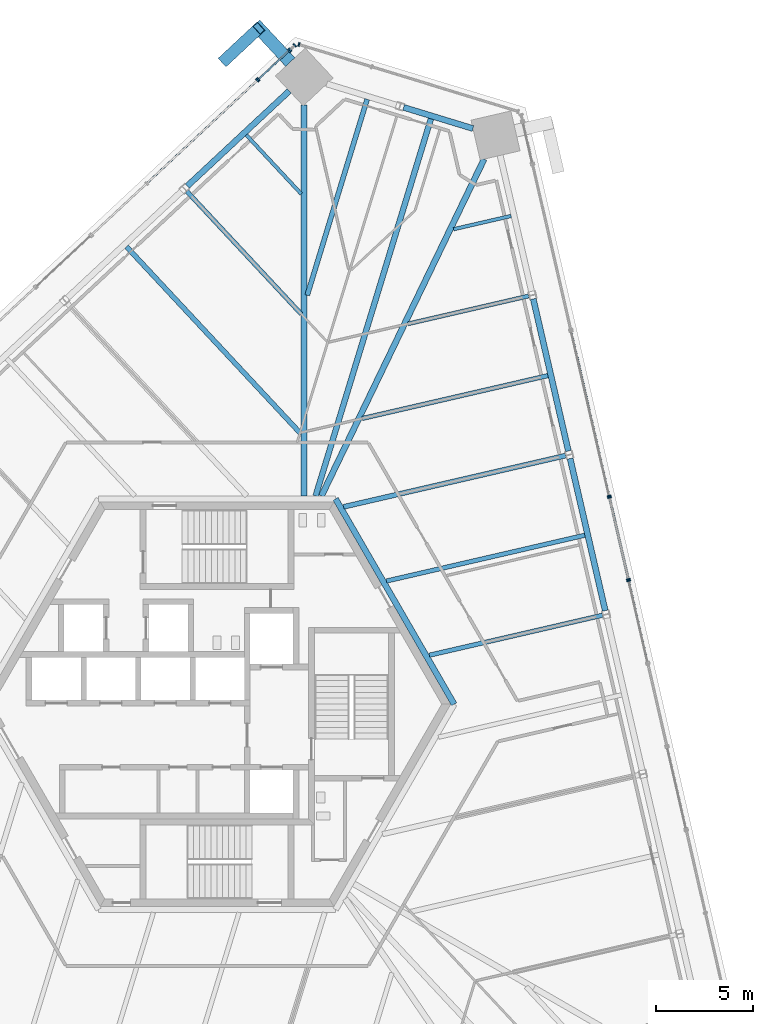
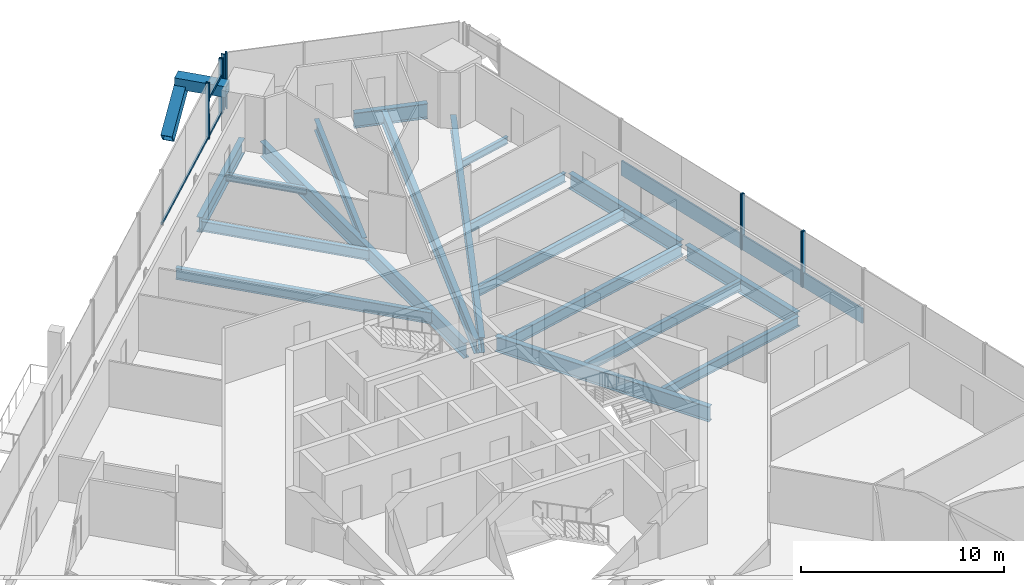
# One storey, part 9 of 25: 20 members, 18 beams, 8 elements without a shape of their own.
"""IFC4 building model written with IfcOpenShell, lengths in metres."""

from ifc_helpers import new_model, si_unit, direction, frame, origin, origin_2d, place, context, subcontext, project, spatial, rectangle, hollow_rectangle, i_section, extrude, source, transform, mapped, material, material_profile, profile_set, type_object, element, aggregate, save


model = new_model("IFC4")

# Units and contexts
model_context = context("Model", 3, precision=1e-05, world=origin(), true_north=direction((0.0, 1.0)))
body_context = subcontext(model_context, "Body", "Model", "MODEL_VIEW")
ifc_project = project(units=[si_unit("LENGTHUNIT", "METRE"), si_unit("AREAUNIT", "SQUARE_METRE"), si_unit("VOLUMEUNIT", "CUBIC_METRE"), si_unit("PLANEANGLEUNIT", "RADIAN"), si_unit("MASSUNIT", "GRAM", prefix="KILO")], contexts=[model_context])

# Site, building, storey
site_placement = place(None, origin())
site = spatial("IfcSite", under=ifc_project, at=site_placement, CompositionType="ELEMENT")
building_placement = place(site_placement, origin())
building = spatial("IfcBuilding", under=site, at=building_placement, Name="Triune Harvest Tower", CompositionType="ELEMENT")
storey_placement = place(building_placement, frame((0.0, 0.0, 130.699951171875)))
storey = spatial("IfcBuildingStorey", under=building, at=storey_placement, Name="L33", CompositionType="ELEMENT", Elevation=130.699951171875)

# Curtain wall, member
ifc_material_1 = material(Name="Aluminium bronze anodised", Category="aluminium")
curtain_wall_type_1 = type_object("IfcCurtainWallType", Name="CW-10 Balcony window wall with insulated spandrel infill", PredefinedType="NOTDEFINED", material=ifc_material_1)
curtain_wall_1_placement = place(storey_placement, origin())
curtain_wall_1 = element("IfcCurtainWall", 1, at=curtain_wall_1_placement, inside=storey, type_object=curtain_wall_type_1, Name="CW-10 B3-F3 L33 run 301")
ifc_material_2 = material(Name="Aluminium bronze anodised", Category="aluminium")
ifc_material_profile_1 = material_profile(ifc_material_2, rectangle(XDim=0.090087890625, YDim=0.14990234375, at=origin_2d()), Name="TR-6 transom 90 x 150")
ifc_profile_set_1 = profile_set([ifc_material_profile_1], Name="Aluminium bronze anodised")
member_type_1 = type_object("IfcMemberType", Name="TR-6 transom 90 x 150", PredefinedType="USERDEFINED", material=ifc_profile_set_1)
member_1_placement = place(storey_placement, frame((2.03564453125, 32.012451171875, 0.074951171875), z_axis=(-0.731356234265, -0.681995644122, 0.0), x_axis=(0.681995644122, -0.731356234265, 0.0)))
member_1 = element("IfcMember", 2, at=member_1_placement, type_object=member_type_1, Name="CW-10 transom B3-F3 301.1", ObjectType="TRANSOM", PredefinedType="USERDEFINED", context=body_context, shape_type="SweptSolid", body=[
    extrude(rectangle(XDim=0.090087890625, YDim=0.14990234375, at=origin_2d()), origin(), (0.0, 0.0, 1.0), 7.686279296875),
])

# Beams
ifc_material_3 = material(Name="Steel ASTM A992 Gr 50", Category="steel")
ifc_material_profile_2 = material_profile(ifc_material_3, i_section(OverallWidth=0.3046875, OverallDepth=0.914306640625, WebThickness=0.0166015625, FlangeThickness=0.02587890625, at=origin_2d()), Name="W36x160")
ifc_profile_set_2 = profile_set([ifc_material_profile_2], Name="Steel ASTM A992 Gr 50")
beam_type_1 = type_object("IfcBeamType", Name="CG-1 Core ring girder W36x160", PredefinedType="BEAM", material=ifc_profile_set_2)
shared_shape_1 = source(origin(), body_context, "Body", "SweptSolid", [
    extrude(i_section(OverallWidth=0.3046875, OverallDepth=0.914306640625, WebThickness=0.0166015625, FlangeThickness=0.02587890625, at=origin_2d()), origin(), (0.0, 0.0, 1.0), 12.176025390625),
])
beam_1_placement = place(storey_placement, frame((12.176025390625, 0.0, -0.6171875), z_axis=(-0.5000099932, 0.866019634131, 0.0), x_axis=(-0.866019634131, -0.5000099932, 0.0)))
element("IfcBeam", 3, at=beam_1_placement, inside=storey, type_object=beam_type_1, Name="beam/L33/CG1", PredefinedType="BEAM", context=body_context, shape_type="MappedRepresentation", body=[
    mapped(shared_shape_1, transform((0.0, 0.0, 0.0), scale=1.0)),
])
ifc_material_4 = material(Name="Steel ASTM A992 Gr 50", Category="steel")
ifc_material_profile_3 = material_profile(ifc_material_4, i_section(OverallWidth=0.3046875, OverallDepth=0.914306640625, WebThickness=0.0166015625, FlangeThickness=0.02587890625, at=origin_2d()), Name="W36x160")
ifc_profile_set_3 = profile_set([ifc_material_profile_3], Name="Steel ASTM A992 Gr 50")
beam_type_2 = type_object("IfcBeamType", Name="SB-1 Spandrel beam W36x160", PredefinedType="SPANDREL", material=ifc_profile_set_3)
shared_shape_2 = source(origin(), body_context, "Body", "SweptSolid", [
    extrude(i_section(OverallWidth=0.3046875, OverallDepth=0.914306640625, WebThickness=0.0166015625, FlangeThickness=0.02587890625, at=origin_2d()), origin(), (0.0, 0.0, 1.0), 8.0185546875),
])
beam_2_placement = place(storey_placement, frame((18.04248046875, 13.00439453125, -0.6171875), z_axis=(-0.224915098534, 0.974378365139, 0.0), x_axis=(-0.974378365139, -0.224915098534, 0.0)))
element("IfcBeam", 4, at=beam_2_placement, inside=storey, type_object=beam_type_2, Name="beam/L33/SB5", PredefinedType="SPANDREL", context=body_context, shape_type="MappedRepresentation", body=[
    mapped(shared_shape_2, transform((0.0, 0.0, 0.0), scale=1.0)),
])
shared_shape_3 = source(origin(), body_context, "Body", "SweptSolid", [
    extrude(i_section(OverallWidth=0.3046875, OverallDepth=0.914306640625, WebThickness=0.0166015625, FlangeThickness=0.02587890625, at=origin_2d()), origin(), (0.0, 0.0, 1.0), 8.01806640625),
])
beam_3_placement = place(storey_placement, frame((19.935546875, 4.805908203125, -0.6171875), z_axis=(-0.224957352975, 0.97436861061, 0.0), x_axis=(-0.97436861061, -0.224957352975, 0.0)))
element("IfcBeam", 5, at=beam_3_placement, inside=storey, type_object=beam_type_2, Name="beam/L33/SB4", PredefinedType="SPANDREL", context=body_context, shape_type="MappedRepresentation", body=[
    mapped(shared_shape_3, transform((0.0, 0.0, 0.0), scale=1.0)),
])
shared_shape_4 = source(origin(), body_context, "Body", "SweptSolid", [
    extrude(i_section(OverallWidth=0.3046875, OverallDepth=0.914306640625, WebThickness=0.0166015625, FlangeThickness=0.02587890625, at=origin_2d()), origin(), (0.0, 0.0, 1.0), 7.16650390625),
])
beam_4_placement = place(storey_placement, frame((3.709228515625, 31.49658203125, -0.6171875), z_axis=(-0.731357675554, -0.681994098515, 0.0), x_axis=(0.681994098515, -0.731357675554, 0.0)))
element("IfcBeam", 6, at=beam_4_placement, inside=storey, type_object=beam_type_2, Name="beam/L33/SB9", PredefinedType="SPANDREL", context=body_context, shape_type="MappedRepresentation", body=[
    mapped(shared_shape_4, transform((0.0, 0.0, 0.0), scale=1.0)),
])
shared_shape_5 = source(origin(), body_context, "Body", "SweptSolid", [
    extrude(i_section(OverallWidth=0.3046875, OverallDepth=0.914306640625, WebThickness=0.0166015625, FlangeThickness=0.02587890625, at=origin_2d()), origin(), (0.0, 0.0, 1.0), 3.72607421875),
])
beam_5_placement = place(storey_placement, frame((13.14208984375, 29.563720703125, -0.6171875), z_axis=(-0.956307307825, 0.292363357829, 0.0), x_axis=(-0.292363357829, -0.956307307825, 0.0)))
element("IfcBeam", 7, at=beam_5_placement, inside=storey, type_object=beam_type_2, Name="beam/L33/SB7", PredefinedType="SPANDREL", context=body_context, shape_type="MappedRepresentation", body=[
    mapped(shared_shape_5, transform((0.0, 0.0, 0.0), scale=1.0)),
])
ifc_material_5 = material(Name="Steel ASTM A992 Gr 50", Category="steel")
ifc_material_profile_4 = material_profile(ifc_material_5, i_section(OverallWidth=0.307373046875, OverallDepth=0.922119140625, WebThickness=0.018310546875, FlangeThickness=0.030029296875, at=origin_2d()), Name="W36x182")
ifc_profile_set_4 = profile_set([ifc_material_profile_4], Name="Steel ASTM A992 Gr 50")
beam_type_3 = type_object("IfcBeamType", Name="HG-2 Hip girder W36x182", PredefinedType="BEAM", material=ifc_profile_set_4)
shared_shape_6 = source(origin(), body_context, "Body", "SweptSolid", [
    extrude(i_section(OverallWidth=0.307373046875, OverallDepth=0.922119140625, WebThickness=0.018310546875, FlangeThickness=0.030029296875, at=origin_2d()), origin(), (0.0, 0.0, 1.0), 19.2109375),
])
beam_6_placement = place(storey_placement, frame((13.7158203125, 27.996337890625, -0.620849609375), z_axis=(-0.434869540736, -0.900493466129, 0.0), x_axis=(0.900493466129, -0.434869540736, 0.0)))
element("IfcBeam", 8, at=beam_6_placement, inside=storey, type_object=beam_type_3, Name="beam/L33/HG3", PredefinedType="BEAM", context=body_context, shape_type="MappedRepresentation", body=[
    mapped(shared_shape_6, transform((0.0, 0.0, 0.0), scale=1.0)),
])
shared_shape_7 = source(origin(), body_context, "Body", "SweptSolid", [
    extrude(i_section(OverallWidth=0.307373046875, OverallDepth=0.922119140625, WebThickness=0.018310546875, FlangeThickness=0.030029296875, at=origin_2d()), origin(), (0.0, 0.0, 1.0), 20.080078125),
])
beam_7_placement = place(storey_placement, frame((4.47705078125, 30.777099609375, -0.620849609375), z_axis=(0.0, -1.0, 0.0), x_axis=(1.0, 0.0, 0.0)))
element("IfcBeam", 9, at=beam_7_placement, inside=storey, type_object=beam_type_3, Name="beam/L33/HG4", PredefinedType="BEAM", context=body_context, shape_type="MappedRepresentation", body=[
    mapped(shared_shape_7, transform((0.0, 0.0, 0.0), scale=1.0)),
])
ifc_material_6 = material(Name="Steel ASTM A992 Gr 50", Category="steel")
ifc_material_profile_5 = material_profile(ifc_material_6, i_section(OverallWidth=0.22900390625, OverallDepth=0.612060546875, WebThickness=0.011962890625, FlangeThickness=0.01953125, at=origin_2d()), Name="W24x84")
ifc_profile_set_5 = profile_set([ifc_material_profile_5], Name="Steel ASTM A992 Gr 50")
beam_type_4 = type_object("IfcBeamType", Name="JT-3 Floor joist W24x84", PredefinedType="JOIST", material=ifc_profile_set_5)
shared_shape_8 = source(origin(), body_context, "Body", "SweptSolid", [
    extrude(i_section(OverallWidth=0.22900390625, OverallDepth=0.612060546875, WebThickness=0.011962890625, FlangeThickness=0.01953125, at=origin_2d()), origin(), (0.0, 0.0, 1.0), 9.129150390625),
])
beam_8_placement = place(storey_placement, frame((19.79443359375, 4.56982421875, -0.466064453125), z_axis=(-0.974374065454, -0.22493372484, 0.0), x_axis=(0.22493372484, -0.974374065454, 0.0)))
element("IfcBeam", 10, at=beam_8_placement, inside=storey, type_object=beam_type_4, Name="beam/L33/JT6", PredefinedType="JOIST", context=body_context, shape_type="MappedRepresentation", body=[
    mapped(shared_shape_8, transform((0.0, 0.0, 0.0), scale=1.0)),
])
shared_shape_9 = source(origin(), body_context, "Body", "SweptSolid", [
    extrude(i_section(OverallWidth=0.22900390625, OverallDepth=0.612060546875, WebThickness=0.011962890625, FlangeThickness=0.01953125, at=origin_2d()), origin(), (0.0, 0.0, 1.0), 10.45361328125),
])
beam_9_placement = place(storey_placement, frame((18.88525390625, 8.677978515625, -0.466064453125), z_axis=(-0.974370329956, -0.224949905758, 0.0), x_axis=(0.224949905758, -0.974370329956, 0.0)))
element("IfcBeam", 11, at=beam_9_placement, inside=storey, type_object=beam_type_4, Name="beam/L33/JT7", PredefinedType="JOIST", context=body_context, shape_type="MappedRepresentation", body=[
    mapped(shared_shape_9, transform((0.0, 0.0, 0.0), scale=1.0)),
])
ifc_material_7 = material(Name="Steel ASTM A992 Gr 50", Category="steel")
ifc_material_profile_6 = material_profile(ifc_material_7, i_section(OverallWidth=0.253662109375, OverallDepth=0.683349609375, WebThickness=0.012451171875, FlangeThickness=0.01904296875, at=origin_2d()), Name="W27x94")
ifc_profile_set_6 = profile_set([ifc_material_profile_6], Name="Steel ASTM A992 Gr 50")
beam_type_5 = type_object("IfcBeamType", Name="JT-4 Floor joist W27x94", PredefinedType="JOIST", material=ifc_profile_set_6)
shared_shape_10 = source(origin(), body_context, "Body", "SweptSolid", [
    extrude(i_section(OverallWidth=0.253662109375, OverallDepth=0.683349609375, WebThickness=0.012451171875, FlangeThickness=0.01904296875, at=origin_2d()), origin(), (0.0, 0.0, 1.0), 11.701904296875),
])
beam_10_placement = place(storey_placement, frame((17.901611328125, 12.768798828125, -0.50146484375), z_axis=(-0.974365520252, -0.224970737974, 0.0), x_axis=(0.224970737974, -0.974365520252, 0.0)))
element("IfcBeam", 12, at=beam_10_placement, inside=storey, type_object=beam_type_5, Name="beam/L33/JT8", PredefinedType="JOIST", context=body_context, shape_type="MappedRepresentation", body=[
    mapped(shared_shape_10, transform((0.0, 0.0, 0.0), scale=1.0)),
])
shared_shape_11 = source(origin(), body_context, "Body", "SweptSolid", [
    extrude(i_section(OverallWidth=0.22900390625, OverallDepth=0.612060546875, WebThickness=0.011962890625, FlangeThickness=0.01953125, at=origin_2d()), origin(), (0.0, 0.0, 1.0), 9.790283203125),
])
beam_11_placement = place(storey_placement, frame((16.9921875, 16.876708984375, -0.466064453125), z_axis=(-0.974368495141, -0.224957853113, 0.0), x_axis=(0.224957853113, -0.974368495141, 0.0)))
element("IfcBeam", 13, at=beam_11_placement, inside=storey, type_object=beam_type_4, Name="beam/L33/JT9", PredefinedType="JOIST", context=body_context, shape_type="MappedRepresentation", body=[
    mapped(shared_shape_11, transform((0.0, 0.0, 0.0), scale=1.0)),
])
ifc_material_8 = material(Name="Steel ASTM A992 Gr 50", Category="steel")
ifc_material_profile_7 = material_profile(ifc_material_8, i_section(OverallWidth=0.2099609375, OverallDepth=0.535888671875, WebThickness=0.010986328125, FlangeThickness=0.017333984375, at=origin_2d()), Name="W21x68")
ifc_profile_set_7 = profile_set([ifc_material_profile_7], Name="Steel ASTM A992 Gr 50")
beam_type_6 = type_object("IfcBeamType", Name="JT-2 Floor joist W21x68", PredefinedType="JOIST", material=ifc_profile_set_7)
shared_shape_12 = source(origin(), body_context, "Body", "SweptSolid", [
    extrude(i_section(OverallWidth=0.2099609375, OverallDepth=0.535888671875, WebThickness=0.010986328125, FlangeThickness=0.017333984375, at=origin_2d()), origin(), (0.0, 0.0, 1.0), 6.372314453125),
])
beam_12_placement = place(storey_placement, frame((16.0087890625, 20.967529296875, -0.427978515625), z_axis=(-0.974365360565, -0.224971429586, 0.0), x_axis=(0.224971429586, -0.974365360565, 0.0)))
element("IfcBeam", 14, at=beam_12_placement, inside=storey, type_object=beam_type_6, Name="beam/L33/JT10", PredefinedType="JOIST", context=body_context, shape_type="MappedRepresentation", body=[
    mapped(shared_shape_12, transform((0.0, 0.0, 0.0), scale=1.0)),
])
ifc_material_9 = material(Name="Steel ASTM A992 Gr 50", Category="steel")
ifc_material_profile_8 = material_profile(ifc_material_9, i_section(OverallWidth=0.180908203125, OverallDepth=0.41650390625, WebThickness=0.010986328125, FlangeThickness=0.01806640625, at=origin_2d()), Name="W16x57")
ifc_profile_set_8 = profile_set([ifc_material_profile_8], Name="Steel ASTM A992 Gr 50")
beam_type_7 = type_object("IfcBeamType", Name="JT-1 Floor joist W16x57", PredefinedType="JOIST", material=ifc_profile_set_8)
shared_shape_13 = source(origin(), body_context, "Body", "SweptSolid", [
    extrude(i_section(OverallWidth=0.180908203125, OverallDepth=0.41650390625, WebThickness=0.010986328125, FlangeThickness=0.01806640625, at=origin_2d()), origin(), (0.0, 0.0, 1.0), 3.0302734375),
])
beam_13_placement = place(storey_placement, frame((15.099365234375, 25.075439453125, -0.3681640625), z_axis=(-0.974372182121, -0.224941882957, 0.0), x_axis=(0.224941882957, -0.974372182121, 0.0)))
element("IfcBeam", 15, at=beam_13_placement, inside=storey, type_object=beam_type_7, Name="beam/L33/JT11", PredefinedType="JOIST", context=body_context, shape_type="MappedRepresentation", body=[
    mapped(shared_shape_13, transform((0.0, 0.0, 0.0), scale=1.0)),
])
ifc_material_10 = material(Name="Steel ASTM A992 Gr 50", Category="steel")
ifc_material_profile_9 = material_profile(ifc_material_10, i_section(OverallWidth=0.2919921875, OverallDepth=0.8583984375, WebThickness=0.01708984375, FlangeThickness=0.031005859375, at=origin_2d()), Name="W33x169")
ifc_profile_set_9 = profile_set([ifc_material_profile_9], Name="Steel ASTM A992 Gr 50")
beam_type_8 = type_object("IfcBeamType", Name="JT-7 Floor joist W33x169", PredefinedType="JOIST", material=ifc_profile_set_9)
shared_shape_14 = source(origin(), body_context, "Body", "SweptSolid", [
    extrude(i_section(OverallWidth=0.2919921875, OverallDepth=0.8583984375, WebThickness=0.01708984375, FlangeThickness=0.031005859375, at=origin_2d()), origin(), (0.0, 0.0, 1.0), 20.252685546875),
])
beam_14_placement = place(storey_placement, frame((10.982177734375, 30.064697265625, -0.58935546875), z_axis=(-0.292364925189, -0.956306828648, 0.0), x_axis=(0.956306828648, -0.292364925189, 0.0)))
element("IfcBeam", 16, at=beam_14_placement, inside=storey, type_object=beam_type_8, Name="beam/L33/JT12", PredefinedType="JOIST", context=body_context, shape_type="MappedRepresentation", body=[
    mapped(shared_shape_14, transform((0.0, 0.0, 0.0), scale=1.0)),
])
shared_shape_15 = source(origin(), body_context, "Body", "SweptSolid", [
    extrude(i_section(OverallWidth=0.253662109375, OverallDepth=0.683349609375, WebThickness=0.012451171875, FlangeThickness=0.01904296875, at=origin_2d()), origin(), (0.0, 0.0, 1.0), 10.522705078125),
])
beam_15_placement = place(storey_placement, frame((7.707275390625, 31.065673828125, -0.50146484375), z_axis=(-0.292358820543, -0.956308694957, 0.0), x_axis=(0.956308694957, -0.292358820543, 0.0)))
element("IfcBeam", 17, at=beam_15_placement, inside=storey, type_object=beam_type_5, Name="beam/L33/JT13", PredefinedType="JOIST", context=body_context, shape_type="MappedRepresentation", body=[
    mapped(shared_shape_15, transform((0.0, 0.0, 0.0), scale=1.0)),
])
shared_shape_16 = source(origin(), body_context, "Body", "SweptSolid", [
    extrude(i_section(OverallWidth=0.180908203125, OverallDepth=0.41650390625, WebThickness=0.010986328125, FlangeThickness=0.01806640625, at=origin_2d()), origin(), (0.0, 0.0, 1.0), 4.134033203125),
])
beam_16_placement = place(storey_placement, frame((1.504150390625, 29.23193359375, -0.3681640625), z_axis=(0.681989931417, -0.731361561367, 0.0), x_axis=(0.731361561367, 0.681989931417, 0.0)))
element("IfcBeam", 18, at=beam_16_placement, inside=storey, type_object=beam_type_7, Name="beam/L33/JT14", PredefinedType="JOIST", context=body_context, shape_type="MappedRepresentation", body=[
    mapped(shared_shape_16, transform((0.0, 0.0, 0.0), scale=1.0)),
])
shared_shape_17 = source(origin(), body_context, "Body", "SweptSolid", [
    extrude(i_section(OverallWidth=0.22900390625, OverallDepth=0.612060546875, WebThickness=0.011962890625, FlangeThickness=0.01953125, at=origin_2d()), origin(), (0.0, 0.0, 1.0), 8.607666015625),
])
beam_17_placement = place(storey_placement, frame((-1.546875, 26.334716796875, -0.466064453125), z_axis=(0.681999854465, -0.731352308063, 0.0), x_axis=(0.731352308063, 0.681999854465, 0.0)))
element("IfcBeam", 19, at=beam_17_placement, inside=storey, type_object=beam_type_4, Name="beam/L33/JT15", PredefinedType="JOIST", context=body_context, shape_type="MappedRepresentation", body=[
    mapped(shared_shape_17, transform((0.0, 0.0, 0.0), scale=1.0)),
])
shared_shape_18 = source(origin(), body_context, "Body", "SweptSolid", [
    extrude(i_section(OverallWidth=0.253662109375, OverallDepth=0.683349609375, WebThickness=0.012451171875, FlangeThickness=0.01904296875, at=origin_2d()), origin(), (0.0, 0.0, 1.0), 13.157470703125),
])
beam_18_placement = place(storey_placement, frame((-4.64990234375, 23.493408203125, -0.50146484375), z_axis=(0.681997545037, -0.731354461642, 0.0), x_axis=(0.731354461642, 0.681997545037, 0.0)))
element("IfcBeam", 20, at=beam_18_placement, inside=storey, type_object=beam_type_5, Name="beam/L33/JT16", PredefinedType="JOIST", context=body_context, shape_type="MappedRepresentation", body=[
    mapped(shared_shape_18, transform((0.0, 0.0, 0.0), scale=1.0)),
])

# Members
ifc_material_11 = material(Name="Steel ASTM A572 Gr 50", Category="steel")
ifc_material_profile_10 = material_profile(ifc_material_11, hollow_rectangle(XDim=0.64990234375, YDim=0.64990234375, WallThickness=0.070068359375, at=origin_2d()), Name="Box 650x650x70")
ifc_profile_set_10 = profile_set([ifc_material_profile_10], Name="Steel ASTM A572 Gr 50")
member_type_2 = type_object("IfcMemberType", Name="BS-1 Brace stub Box 650x650x70", PredefinedType="STRUT", material=ifc_profile_set_10)
shared_shape_19 = source(origin(), body_context, "Body", "SweptSolid", [
    extrude(hollow_rectangle(XDim=0.64990234375, YDim=0.64990234375, WallThickness=0.070068359375, at=origin_2d()), origin(), (0.0, 0.0, 1.0), 2.648681640625),
])
member_2_placement = place(storey_placement, frame((3.760986328125, 32.980712890625, 1.85009765625), z_axis=(-0.682019328926, 0.731334147276, 0.0), x_axis=(-0.731334147276, -0.682019328926, 0.0)))
element("IfcMember", 21, at=member_2_placement, inside=storey, type_object=member_type_2, Name="brace/B3-F3/stub4", PredefinedType="STRUT", context=body_context, shape_type="MappedRepresentation", body=[
    mapped(shared_shape_19, transform((0.0, 0.0, 0.0), scale=1.0)),
])
ifc_material_12 = material(Name="Steel ASTM A572 Gr 50", Category="steel")
ifc_material_profile_11 = material_profile(ifc_material_12, hollow_rectangle(XDim=0.60009765625, YDim=0.60009765625, WallThickness=0.0400390625, at=origin_2d()), Name="Box 600x600x40")
ifc_profile_set_11 = profile_set([ifc_material_profile_11], Name="Steel ASTM A572 Gr 50")
member_type_3 = type_object("IfcMemberType", Name="BR-2 Brace Box 600x600x40", PredefinedType="BRACE", material=ifc_profile_set_11)
shared_shape_20 = source(origin(), body_context, "Body", "SweptSolid", [
    extrude(hollow_rectangle(XDim=0.60009765625, YDim=0.60009765625, WallThickness=0.0400390625, at=origin_2d()), origin(), (0.0, 0.0, 1.0), 2.893310546875),
])
member_3_placement = place(storey_placement, frame((0.375732421875, 33.062744140625, 0.0), z_axis=(0.611656814693, 0.57031154787, 0.54828886493), x_axis=(-0.681955084924, 0.731394053945, 0.0)))
element("IfcMember", 22, at=member_3_placement, inside=storey, type_object=member_type_3, Name="brace/B3-F3/d2/10", PredefinedType="BRACE", context=body_context, shape_type="MappedRepresentation", body=[
    mapped(shared_shape_20, transform((0.0, 0.0, 0.0), scale=1.0)),
])

# Curtain wall, members
curtain_wall_2_placement = place(storey_placement, origin())
curtain_wall_2 = element("IfcCurtainWall", 23, at=curtain_wall_2_placement, inside=storey, type_object=curtain_wall_type_1, Name="CW-10 B3-F3 L33 run 101")
ifc_material_13 = material(Name="Aluminium bronze anodised", Category="aluminium")
ifc_material_profile_12 = material_profile(ifc_material_13, rectangle(XDim=0.199951171875, YDim=0.074951171875, at=origin_2d()), Name="MU-6 mullion 75 x 200")
ifc_profile_set_12 = profile_set([ifc_material_profile_12], Name="Aluminium bronze anodised")
member_type_4 = type_object("IfcMemberType", Name="MU-6 mullion 75 x 200", PredefinedType="MULLION", material=ifc_profile_set_12)
shared_shape_21 = source(origin(), body_context, "Body", "SweptSolid", [
    extrude(rectangle(XDim=0.199951171875, YDim=0.074951171875, at=origin_2d()), origin(), (0.0, 0.0, 1.0), 1.465087890625),
])
member_4_placement = place(storey_placement, frame((3.695556640625, 33.560302734375, 0.0), z_axis=(0.0, 0.0, 1.0), x_axis=(0.682014922759, -0.731338256304, 0.0)))
member_4 = element("IfcMember", 24, at=member_4_placement, type_object=member_type_4, Name="CW-10 mullion B3-F3 101.1", PredefinedType="MULLION", context=body_context, shape_type="MappedRepresentation", body=[
    mapped(shared_shape_21, transform((0.0, 0.0, 0.0), scale=1.0)),
])
member_5_placement = place(storey_placement, frame((2.117919921875, 32.089111328125, 0.0), z_axis=(0.0, 0.0, 1.0), x_axis=(0.682014922759, -0.731338256304, 0.0)))
member_5 = element("IfcMember", 25, at=member_5_placement, type_object=member_type_4, Name="CW-10 mullion B3-F3 101.2", PredefinedType="MULLION", context=body_context, shape_type="MappedRepresentation", body=[
    mapped(shared_shape_21, transform((0.0, 0.0, 0.0), scale=1.0)),
])

ifc_material_14 = material(Name="Aluminium bronze anodised", Category="aluminium")
curtain_wall_type_2 = type_object("IfcCurtainWallType", Name="CW-6 Balcony window wall", PredefinedType="NOTDEFINED", material=ifc_material_14)
curtain_wall_3_placement = place(storey_placement, origin())
curtain_wall_3 = element("IfcCurtainWall", 26, at=curtain_wall_3_placement, inside=storey, type_object=curtain_wall_type_2, Name="CW-6 B3-F3 L33 run 201")
shared_shape_22 = source(origin(), body_context, "Body", "SweptSolid", [
    extrude(rectangle(XDim=0.199951171875, YDim=0.074951171875, at=origin_2d()), origin(), (0.0, 0.0, 1.0), 1.114990234375),
])
member_6_placement = place(storey_placement, frame((3.695556640625, 33.560302734375, 2.235107421875), z_axis=(0.0, 0.0, 1.0), x_axis=(0.682014922759, -0.731338256304, 0.0)))
member_6 = element("IfcMember", 27, at=member_6_placement, type_object=member_type_4, Name="CW-6 mullion B3-F3 201.1", PredefinedType="MULLION", context=body_context, shape_type="MappedRepresentation", body=[
    mapped(shared_shape_22, transform((0.0, 0.0, 0.0), scale=1.0)),
])
member_7_placement = place(storey_placement, frame((2.117919921875, 32.089111328125, 2.235107421875), z_axis=(0.0, 0.0, 1.0), x_axis=(0.682014922759, -0.731338256304, 0.0)))
member_7 = element("IfcMember", 28, at=member_7_placement, type_object=member_type_4, Name="CW-6 mullion B3-F3 201.2", PredefinedType="MULLION", context=body_context, shape_type="MappedRepresentation", body=[
    mapped(shared_shape_22, transform((0.0, 0.0, 0.0), scale=1.0)),
])

curtain_wall_4_placement = place(storey_placement, origin())
curtain_wall_4 = element("IfcCurtainWall", 29, at=curtain_wall_4_placement, inside=storey, type_object=curtain_wall_type_2, Name="CW-6 B3-F3 L33 run 1")
shared_shape_23 = source(origin(), body_context, "Body", "SweptSolid", [
    extrude(rectangle(XDim=0.199951171875, YDim=0.074951171875, at=origin_2d()), origin(), (0.0, 0.0, 1.0), 3.35009765625),
])
member_8_placement = place(storey_placement, frame((3.9892578125, 33.83447265625, 0.0), z_axis=(0.0, 0.0, 1.0), x_axis=(0.6819102536, -0.731435852304, 0.0)))
member_8 = element("IfcMember", 30, at=member_8_placement, type_object=member_type_4, Name="CW-6 mullion B3-F3 1.1", PredefinedType="MULLION", context=body_context, shape_type="MappedRepresentation", body=[
    mapped(shared_shape_23, transform((0.0, 0.0, 0.0), scale=1.0)),
])
member_9_placement = place(storey_placement, frame((3.750244140625, 33.611572265625, 0.0), z_axis=(0.0, 0.0, 1.0), x_axis=(0.6819102536, -0.731435852304, 0.0)))
member_9 = element("IfcMember", 31, at=member_9_placement, type_object=member_type_4, Name="CW-6 mullion B3-F3 1.2", PredefinedType="MULLION", context=body_context, shape_type="MappedRepresentation", body=[
    mapped(shared_shape_23, transform((0.0, 0.0, 0.0), scale=1.0)),
])
aggregate(curtain_wall_4, [member_8, member_9])

# Member
member_10_placement = place(storey_placement, frame((2.06298828125, 32.0380859375, 0.0), z_axis=(0.0, 0.0, 1.0), x_axis=(0.681996550854, -0.731355388729, 0.0)))
member_10 = element("IfcMember", 32, at=member_10_placement, type_object=member_type_4, Name="CW-10 mullion B3-F3 301.1", PredefinedType="MULLION", context=body_context, shape_type="MappedRepresentation", body=[
    mapped(shared_shape_23, transform((0.0, 0.0, 0.0), scale=1.0)),
])

aggregate(curtain_wall_1, [member_10, member_1])

# Curtain wall, member
ifc_material_15 = material(Name="Aluminium bronze anodised", Category="aluminium")
curtain_wall_type_3 = type_object("IfcCurtainWallType", Name="CW-1 Tower stick curtain wall", PredefinedType="NOTDEFINED", material=ifc_material_15)
curtain_wall_5_placement = place(storey_placement, origin())
curtain_wall_5 = element("IfcCurtainWall", 33, at=curtain_wall_5_placement, inside=storey, type_object=curtain_wall_type_3, Name="CW-1 B3-F1 L33 run 3201")
ifc_material_16 = material(Name="Aluminium bronze anodised", Category="aluminium")
ifc_material_profile_13 = material_profile(ifc_material_16, rectangle(XDim=0.199951171875, YDim=0.074951171875, at=origin_2d()), Name="MU-1 mullion 75 x 200")
ifc_profile_set_13 = profile_set([ifc_material_profile_13], Name="Aluminium bronze anodised")
member_type_5 = type_object("IfcMemberType", Name="MU-1 mullion 75 x 200", PredefinedType="MULLION", material=ifc_profile_set_13)
shared_shape_24 = source(origin(), body_context, "Body", "SweptSolid", [
    extrude(rectangle(XDim=0.199951171875, YDim=0.074951171875, at=origin_2d()), origin(), (0.0, 0.0, 1.0), 3.35009765625),
])
member_11_placement = place(storey_placement, frame((21.13916015625, 6.3427734375, 0.0), z_axis=(0.0, 0.0, 1.0), x_axis=(-0.974366217206, -0.224967719392, 0.0)))
member_11 = element("IfcMember", 34, at=member_11_placement, type_object=member_type_5, Name="CW-1 mullion B3-F1 3201.2", PredefinedType="MULLION", context=body_context, shape_type="MappedRepresentation", body=[
    mapped(shared_shape_24, transform((0.0, 0.0, 0.0), scale=1.0)),
])

# Curtain wall, members
ifc_material_17 = material(Name="Aluminium bronze anodised", Category="aluminium")
curtain_wall_type_4 = type_object("IfcCurtainWallType", Name="CW-7 Tower stick curtain wall with insulated spandrel infill", PredefinedType="NOTDEFINED", material=ifc_material_17)
curtain_wall_6_placement = place(storey_placement, origin())
curtain_wall_6 = element("IfcCurtainWall", 35, at=curtain_wall_6_placement, inside=storey, type_object=curtain_wall_type_4, Name="CW-7 B3-F1 L33 run 4201")
member_12_placement = place(storey_placement, frame((21.122314453125, 6.415771484375, 0.0), z_axis=(0.0, 0.0, 1.0), x_axis=(-0.974370060254, -0.224951073969, 0.0)))
member_12 = element("IfcMember", 36, at=member_12_placement, type_object=member_type_5, Name="CW-7 mullion B3-F1 4201.1", PredefinedType="MULLION", context=body_context, shape_type="MappedRepresentation", body=[
    mapped(shared_shape_24, transform((0.0, 0.0, 0.0), scale=1.0)),
])
member_13_placement = place(storey_placement, frame((20.15234375, 10.616943359375, 0.0), z_axis=(0.0, 0.0, 1.0), x_axis=(-0.974370060254, -0.224951073969, 0.0)))
member_13 = element("IfcMember", 37, at=member_13_placement, type_object=member_type_5, Name="CW-7 mullion B3-F1 4201.2", PredefinedType="MULLION", context=body_context, shape_type="MappedRepresentation", body=[
    mapped(shared_shape_24, transform((0.0, 0.0, 0.0), scale=1.0)),
])

# Curtain wall, member
curtain_wall_7_placement = place(storey_placement, origin())
curtain_wall_7 = element("IfcCurtainWall", 38, at=curtain_wall_7_placement, inside=storey, type_object=curtain_wall_type_3, Name="CW-1 B3-F1 L33 run 5201")
member_14_placement = place(storey_placement, frame((20.135498046875, 10.68994140625, 0.0), z_axis=(0.0, 0.0, 1.0), x_axis=(-0.974370060254, -0.224951073969, 0.0)))
member_14 = element("IfcMember", 39, at=member_14_placement, type_object=member_type_5, Name="CW-1 mullion B3-F1 5201.1", PredefinedType="MULLION", context=body_context, shape_type="MappedRepresentation", body=[
    mapped(shared_shape_24, transform((0.0, 0.0, 0.0), scale=1.0)),
])

curtain_wall_8_placement = place(storey_placement, origin())
curtain_wall_8 = element("IfcCurtainWall", 40, at=curtain_wall_8_placement, inside=storey, type_object=curtain_wall_type_4, Name="CW-7 B3-F2 L33 run 1")
member_15_placement = place(storey_placement, frame((4.20458984375, 33.884033203125, 0.0), z_axis=(0.0, 0.0, 1.0), x_axis=(-0.292376962095, -0.956303148607, 0.0)))
member_15 = element("IfcMember", 41, at=member_15_placement, type_object=member_type_5, Name="CW-7 mullion B3-F2 1.4", PredefinedType="MULLION", context=body_context, shape_type="MappedRepresentation", body=[
    mapped(shared_shape_24, transform((0.0, 0.0, 0.0), scale=1.0)),
])
aggregate(curtain_wall_8, [member_15])

# Member
ifc_material_18 = material(Name="Aluminium bronze anodised", Category="aluminium")
ifc_material_profile_14 = material_profile(ifc_material_18, rectangle(XDim=0.090087890625, YDim=0.89990234375, at=origin_2d()), Name="TR-1 transom 90 x 900")
ifc_profile_set_14 = profile_set([ifc_material_profile_14], Name="Aluminium bronze anodised")
member_type_6 = type_object("IfcMemberType", Name="TR-1 transom 90 x 900", PredefinedType="USERDEFINED", material=ifc_profile_set_14)
shared_shape_25 = source(origin(), body_context, "Body", "SweptSolid", [
    extrude(rectangle(XDim=0.090087890625, YDim=0.89990234375, at=origin_2d()), origin(), (0.0, 0.0, 1.0), 4.236572265625),
])
member_16_placement = place(storey_placement, frame((21.114013671875, 6.452392578125, 0.449951171875), z_axis=(-0.224977349839, 0.974363993618, 0.0), x_axis=(-0.974363993618, -0.224977349839, 0.0)))
member_16 = element("IfcMember", 42, at=member_16_placement, type_object=member_type_6, Name="CW-7 transom B3-F1 4201.1", ObjectType="TRANSOM", PredefinedType="USERDEFINED", context=body_context, shape_type="MappedRepresentation", body=[
    mapped(shared_shape_25, transform((0.0, 0.0, 0.0), scale=1.0)),
])

aggregate(curtain_wall_6, [member_12, member_13, member_16])

shared_shape_26 = source(origin(), body_context, "Body", "SweptSolid", [
    extrude(rectangle(XDim=0.090087890625, YDim=0.89990234375, at=origin_2d()), origin(), (0.0, 0.0, 1.0), 4.23681640625),
])
member_17_placement = place(storey_placement, frame((22.100830078125, 2.177978515625, 0.449951171875), z_axis=(-0.224964718038, 0.974366910172, 0.0), x_axis=(-0.974366910172, -0.224964718038, 0.0)))
member_17 = element("IfcMember", 43, at=member_17_placement, type_object=member_type_6, Name="CW-1 transom B3-F1 3201.1", ObjectType="TRANSOM", PredefinedType="USERDEFINED", context=body_context, shape_type="MappedRepresentation", body=[
    mapped(shared_shape_26, transform((0.0, 0.0, 0.0), scale=1.0)),
])

aggregate(curtain_wall_5, [member_11, member_17])

shared_shape_27 = source(origin(), body_context, "Body", "SweptSolid", [
    extrude(rectangle(XDim=0.090087890625, YDim=0.89990234375, at=origin_2d()), origin(), (0.0, 0.0, 1.0), 8.623291015625),
])
member_18_placement = place(storey_placement, frame((20.127197265625, 10.7265625, 0.449951171875), z_axis=(-0.224962889991, 0.974367332235, 0.0), x_axis=(-0.974367332235, -0.224962889991, 0.0)))
member_18 = element("IfcMember", 44, at=member_18_placement, type_object=member_type_6, Name="CW-1 transom B3-F1 5201.1", ObjectType="TRANSOM", PredefinedType="USERDEFINED", context=body_context, shape_type="MappedRepresentation", body=[
    mapped(shared_shape_27, transform((0.0, 0.0, 0.0), scale=1.0)),
])

aggregate(curtain_wall_7, [member_14, member_18])

shared_shape_28 = source(origin(), body_context, "Body", "SweptSolid", [
    extrude(rectangle(XDim=0.090087890625, YDim=0.14990234375, at=origin_2d()), origin(), (0.0, 0.0, 1.0), 2.082275390625),
])
member_19_placement = place(storey_placement, frame((3.66796875, 33.534912109375, 0.074951171875), z_axis=(-0.731300865247, -0.682055015735, 0.0), x_axis=(0.682055015735, -0.731300865247, 0.0)))
member_19 = element("IfcMember", 45, at=member_19_placement, type_object=member_type_1, Name="CW-10 transom B3-F3 101.1", ObjectType="TRANSOM", PredefinedType="USERDEFINED", context=body_context, shape_type="MappedRepresentation", body=[
    mapped(shared_shape_28, transform((0.0, 0.0, 0.0), scale=1.0)),
])

aggregate(curtain_wall_2, [member_4, member_5, member_19])

member_20_placement = place(storey_placement, frame((3.66796875, 33.534912109375, 2.31005859375), z_axis=(-0.731300865247, -0.682055015735, 0.0), x_axis=(0.682055015735, -0.731300865247, 0.0)))
member_20 = element("IfcMember", 46, at=member_20_placement, type_object=member_type_1, Name="CW-6 transom B3-F3 201.1", ObjectType="TRANSOM", PredefinedType="USERDEFINED", context=body_context, shape_type="MappedRepresentation", body=[
    mapped(shared_shape_28, transform((0.0, 0.0, 0.0), scale=1.0)),
])

aggregate(curtain_wall_3, [member_6, member_7, member_20])

save(model, "model.ifc")
